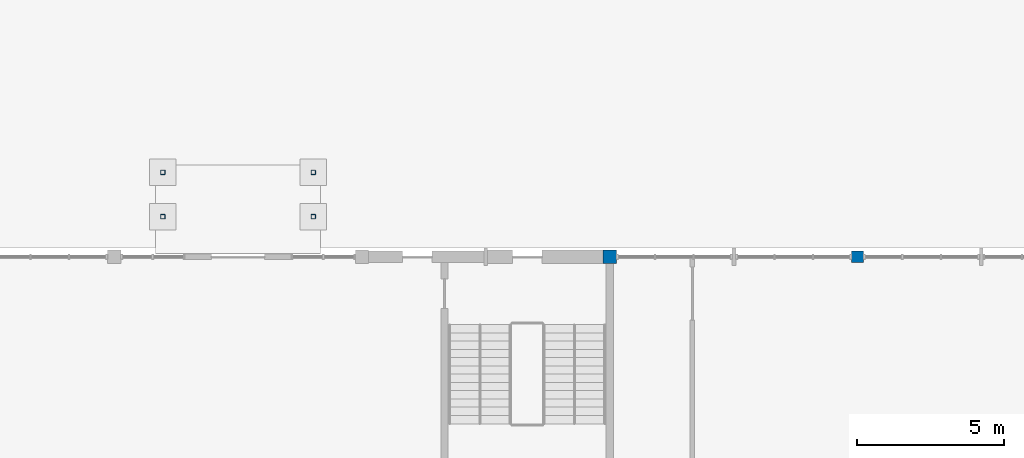
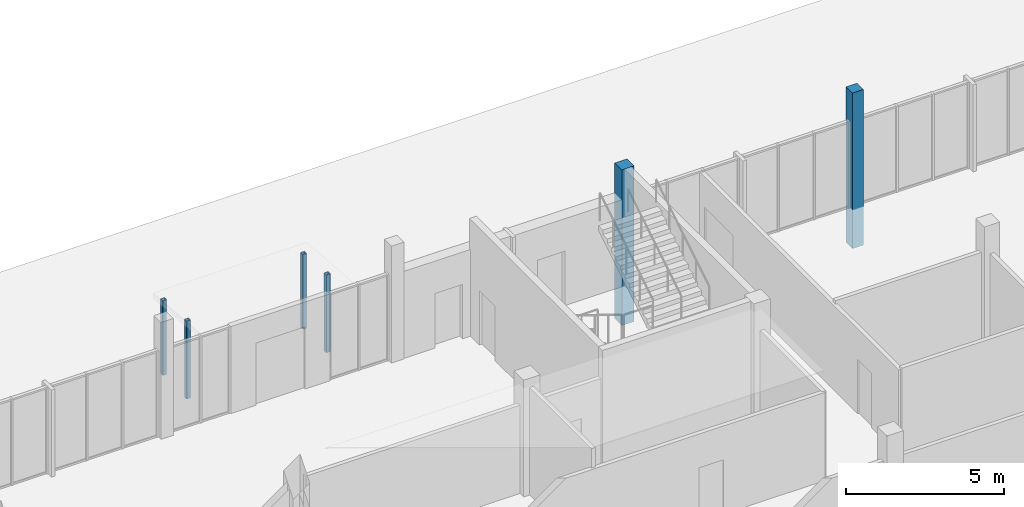
# One storey, part 6 of 101: 6 columns.
"""IFC4 building model written with IfcOpenShell, lengths in metres."""

from ifc_helpers import new_model, si_unit, direction, frame, origin, origin_2d, place, context, subcontext, project, spatial, rectangle, hollow_rectangle, extrude, material, material_profile, profile_set, type_object, element, save


model = new_model("IFC4")

# Units and contexts
model_context = context("Model", 3, precision=1e-05, world=origin(), true_north=direction((0.0, 1.0)))
body_context = subcontext(model_context, "Body", "Model", "MODEL_VIEW")
ifc_project = project(units=[si_unit("LENGTHUNIT", "METRE"), si_unit("AREAUNIT", "SQUARE_METRE"), si_unit("VOLUMEUNIT", "CUBIC_METRE"), si_unit("PLANEANGLEUNIT", "RADIAN"), si_unit("MASSUNIT", "GRAM", prefix="KILO")], contexts=[model_context])

# Site, building, storey
site_placement = place(None, origin())
site = spatial("IfcSite", under=ifc_project, at=site_placement, CompositionType="ELEMENT")
building_placement = place(site_placement, origin())
building = spatial("IfcBuilding", under=site, at=building_placement, Name="Fescue Hill Polytechnic", CompositionType="ELEMENT")
storey_placement = place(building_placement, frame((0.0, 0.0, 9.0)))
storey = spatial("IfcBuildingStorey", under=building, at=storey_placement, Name="L02", CompositionType="ELEMENT", Elevation=9.0)

# Columns
ifc_material_1 = material(Name="Steel 350W (350 MPa)", Category="steel")
ifc_material_profile_1 = material_profile(ifc_material_1, hollow_rectangle(XDim=0.15234375, YDim=0.15234375, WallThickness=0.009521484375, InnerFilletRadius=0.009521484375, OuterFilletRadius=0.01904296875, at=origin_2d()), Name="Canopy post HSS 152x152x9.5")
ifc_profile_set_1 = profile_set([ifc_material_profile_1], Name="Steel 350W (350 MPa)")
column_type_1 = type_object("IfcColumnType", Name="Canopy post HSS 152x152x9.5", PredefinedType="COLUMN", material=ifc_profile_set_1)
column_1_placement = place(storey_placement, frame((31.949951171875, 135.760009765625, 0.0), z_axis=(0.0, 0.0, 1.0), x_axis=(1.0, 0.0, 0.0)))
element("IfcColumn", 1, at=column_1_placement, inside=storey, type_object=column_type_1, Name="Canopy post V5", PredefinedType="COLUMN", context=body_context, shape_type="SweptSolid", body=[
    extrude(hollow_rectangle(XDim=0.15234375, YDim=0.15234375, WallThickness=0.009521484375, InnerFilletRadius=0.009521484375, OuterFilletRadius=0.01904296875, at=origin_2d()), origin(), (0.0, 0.0, 1.0), 2.995849609375),
])
column_2_placement = place(storey_placement, frame((31.949951171875, 137.260009765625, 0.0), z_axis=(0.0, 0.0, 1.0), x_axis=(1.0, 0.0, 0.0)))
element("IfcColumn", 2, at=column_2_placement, inside=storey, type_object=column_type_1, Name="Canopy post V5", PredefinedType="COLUMN", context=body_context, shape_type="SweptSolid", body=[
    extrude(hollow_rectangle(XDim=0.15234375, YDim=0.15234375, WallThickness=0.009521484375, InnerFilletRadius=0.009521484375, OuterFilletRadius=0.01904296875, at=origin_2d()), origin(), (0.0, 0.0, 1.0), 2.870849609375),
])
column_3_placement = place(storey_placement, frame((26.85009765625, 135.760009765625, 0.0), z_axis=(0.0, 0.0, 1.0), x_axis=(1.0, 0.0, 0.0)))
element("IfcColumn", 3, at=column_3_placement, inside=storey, type_object=column_type_1, Name="Canopy post V5", PredefinedType="COLUMN", context=body_context, shape_type="SweptSolid", body=[
    extrude(hollow_rectangle(XDim=0.15234375, YDim=0.15234375, WallThickness=0.009521484375, InnerFilletRadius=0.009521484375, OuterFilletRadius=0.01904296875, at=origin_2d()), origin(), (0.0, 0.0, 1.0), 2.995849609375),
])
column_4_placement = place(storey_placement, frame((26.85009765625, 137.260009765625, 0.0), z_axis=(0.0, 0.0, 1.0), x_axis=(1.0, 0.0, 0.0)))
element("IfcColumn", 4, at=column_4_placement, inside=storey, type_object=column_type_1, Name="Canopy post V5", PredefinedType="COLUMN", context=body_context, shape_type="SweptSolid", body=[
    extrude(hollow_rectangle(XDim=0.15234375, YDim=0.15234375, WallThickness=0.009521484375, InnerFilletRadius=0.009521484375, OuterFilletRadius=0.01904296875, at=origin_2d()), origin(), (0.0, 0.0, 1.0), 2.870849609375),
])
ifc_material_2 = material(Name="Concrete 40 MPa", Category="concrete")
ifc_material_profile_2 = material_profile(ifc_material_2, rectangle(XDim=0.39990234375, YDim=0.39990234375, at=origin_2d()), Name="RC 400x400")
ifc_profile_set_2 = profile_set([ifc_material_profile_2], Name="Concrete 40 MPa")
column_type_2 = type_object("IfcColumnType", Name="Column RC 400x400", PredefinedType="COLUMN", material=ifc_profile_set_2)
column_5_placement = place(storey_placement, frame((50.39990234375, 134.39990234375, -1.5), z_axis=(0.0, 0.0, 1.0), x_axis=(1.0, 0.0, 0.0)))
element("IfcColumn", 5, at=column_5_placement, inside=storey, type_object=column_type_2, Name="COL-L02-V5-024", PredefinedType="COLUMN", context=body_context, shape_type="SweptSolid", body=[
    extrude(rectangle(XDim=0.39990234375, YDim=0.39990234375, at=origin_2d()), origin(), (0.0, 0.0, 1.0), 6.0),
])
ifc_material_profile_3 = material_profile(ifc_material_2, rectangle(XDim=0.449951171875, YDim=0.449951171875, at=origin_2d()), Name="RC 450x450")
ifc_profile_set_3 = profile_set([ifc_material_profile_3], Name="Concrete 40 MPa")
column_type_3 = type_object("IfcColumnType", Name="Column RC 450x450", PredefinedType="COLUMN", material=ifc_profile_set_3)
column_6_placement = place(storey_placement, frame((42.0, 134.39990234375, -1.5), z_axis=(0.0, 0.0, 1.0), x_axis=(1.0, 0.0, 0.0)))
element("IfcColumn", 6, at=column_6_placement, inside=storey, type_object=column_type_3, Name="COL-L02-V5-020", PredefinedType="COLUMN", context=body_context, shape_type="SweptSolid", body=[
    extrude(rectangle(XDim=0.449951171875, YDim=0.449951171875, at=origin_2d()), origin(), (0.0, 0.0, 1.0), 6.0),
])

save(model, "model.ifc")
